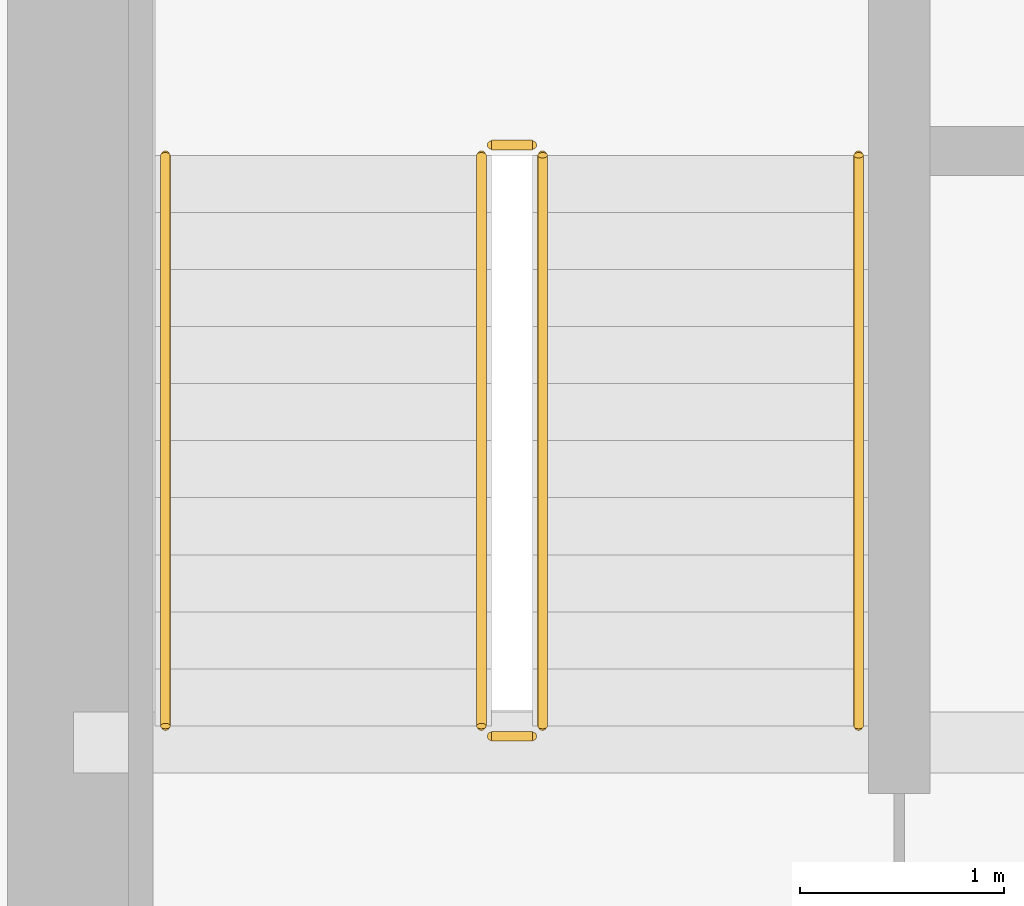
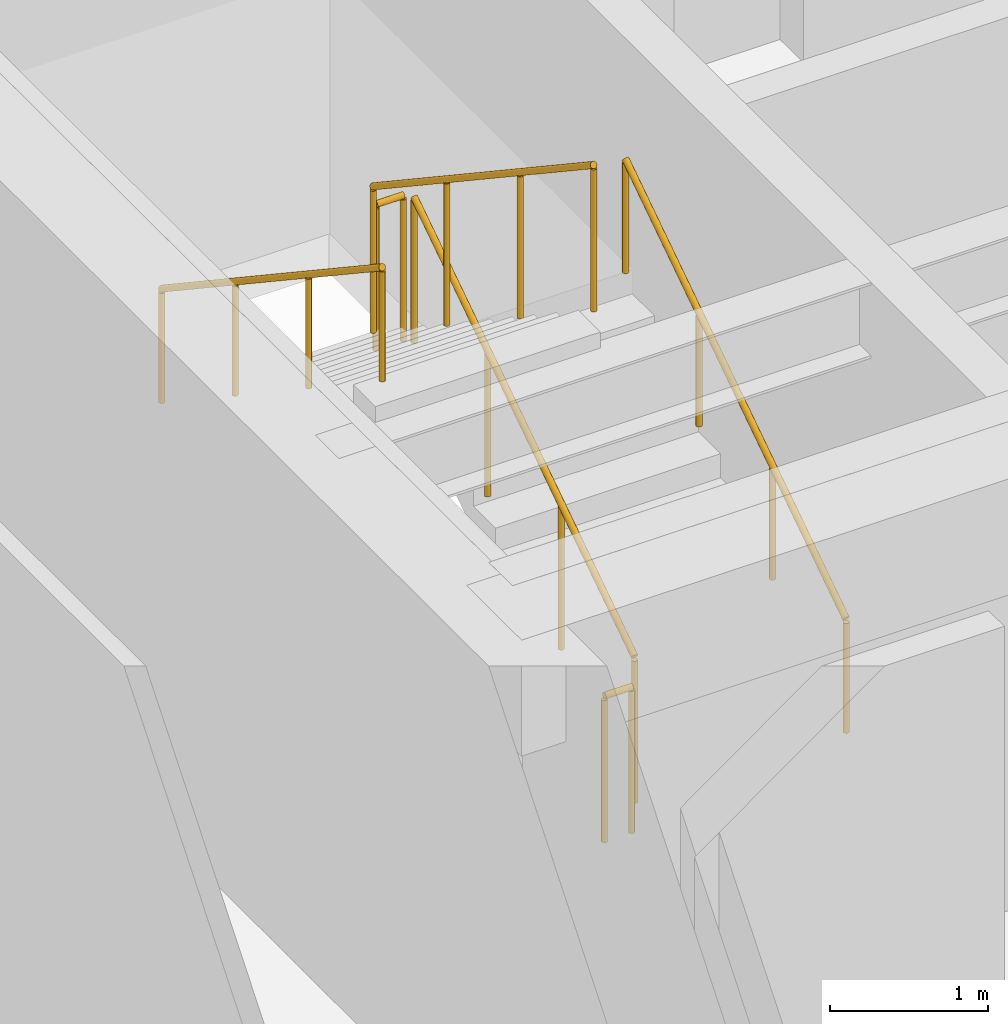
# One storey, part 29 of 30: 6 railings.
"""IFC4 building model written with IfcOpenShell, lengths in metres."""

from ifc_helpers import new_model, si_unit, direction, frame, origin, origin_2d, place, context, subcontext, project, spatial, circle, extrude, source, transform, mapped, material, type_object, type_shapes, element, save


model = new_model("IFC4")

# Units and contexts
model_context = context("Model", 3, precision=1e-05, world=origin(), true_north=direction((0.0, 1.0)))
body_context = subcontext(model_context, "Body", "Model", "MODEL_VIEW")
ifc_project = project(units=[si_unit("LENGTHUNIT", "METRE"), si_unit("AREAUNIT", "SQUARE_METRE"), si_unit("VOLUMEUNIT", "CUBIC_METRE"), si_unit("PLANEANGLEUNIT", "RADIAN"), si_unit("MASSUNIT", "GRAM", prefix="KILO")], contexts=[model_context])

# Site, building, storey
site_placement = place(None, origin())
site = spatial("IfcSite", under=ifc_project, at=site_placement, CompositionType="ELEMENT")
building_placement = place(site_placement, origin())
building = spatial("IfcBuilding", under=site, at=building_placement, Name="Haelvirn Gate Laboratories", CompositionType="ELEMENT")
storey_placement = place(building_placement, frame((0.0, 0.0, 129.699951171875)))
storey = spatial("IfcBuildingStorey", under=building, at=storey_placement, Name="L31", CompositionType="ELEMENT", Elevation=129.699951171875)

# Railings
ifc_material_1 = material(Name="Galvanised steel SM355 & stainless top rail", Category="steel")
railing_type_1 = type_object("IfcRailingType", Name="RL-GUARD-1150", PredefinedType="GUARDRAIL", material=ifc_material_1)
shared_shape_1 = source(origin(), body_context, "Body", "SweptSolid", [
    extrude(circle(Radius=0.02392578125, at=origin_2d()), frame((0.0, 0.0, 1.1259765625), z_axis=(-1.0, 0.0, 0.0), x_axis=(0.0, -1.0, 0.0)), (0.0, 0.0, 1.0), 0.199951171875),
    extrude(circle(Radius=0.02099609375, at=origin_2d()), origin(), (0.0, 0.0, 1.0), 1.101806640625),
    extrude(circle(Radius=0.02099609375, at=origin_2d()), frame((-0.199951171875, 0.0, 0.0)), (0.0, 0.0, 1.0), 1.101806640625),
])
for number, where, name in (
    (1, (9.64990234375, 29.550048828125, 2.050048828125), "L31 ST1 stair guard 2"),
    (2, (9.64990234375, 26.64990234375, 0.0), "L31 ST1 stair guard 4"),
):
    element("IfcRailing", number, at=place(storey_placement, frame(where)), inside=storey, type_object=railing_type_1, Name=name, PredefinedType="GUARDRAIL", context=body_context, shape_type="MappedRepresentation", body=[
        mapped(shared_shape_1, transform((0.0, 0.0, 0.0), scale=1.0)),
    ])
shared_shape_2 = source(origin(), body_context, "Body", "SweptSolid", [
    extrude(circle(Radius=0.02392578125, at=origin_2d()), frame((0.0, 0.0, 1.1259765625), z_axis=(0.0, 0.832485552168, 0.554046753832), x_axis=(-1.0, 0.0, 0.0)), (0.0, 0.0, 1.0), 3.363525390625),
    extrude(circle(Radius=0.02099609375, at=origin_2d()), origin(), (0.0, 0.0, 1.0), 1.101806640625),
    extrude(circle(Radius=0.02099609375, at=origin_2d()), frame((0.0, 0.933349609375, 0.62109375)), (0.0, 0.0, 1.0), 1.101806640625),
    extrude(circle(Radius=0.02099609375, at=origin_2d()), frame((0.0, 1.86669921875, 1.242431640625)), (0.0, 0.0, 1.0), 1.101806640625),
    extrude(circle(Radius=0.02099609375, at=origin_2d()), frame((0.0, 2.800048828125, 1.863525390625)), (0.0, 0.0, 1.0), 1.101806640625),
])
railing_1_placement = place(storey_placement, frame((9.699951171875, 26.699951171875, 0.1865234375)))
element("IfcRailing", 3, at=railing_1_placement, inside=storey, type_object=railing_type_1, Name="L31 ST1 stair guard 1", PredefinedType="GUARDRAIL", context=body_context, shape_type="MappedRepresentation", body=[
    mapped(shared_shape_2, transform((0.0, 0.0, 0.0), scale=1.0)),
])
shared_shape_3 = source(origin(), body_context, "Body", "SweptSolid", [
    extrude(circle(Radius=0.02392578125, at=origin_2d()), frame((0.0, 0.0, 1.1259765625), z_axis=(0.0, -0.832452072856, 0.554097055034), x_axis=(1.0, 0.0, 0.0)), (0.0, 0.0, 1.0), 3.363525390625),
    extrude(circle(Radius=0.02099609375, at=origin_2d()), origin(), (0.0, 0.0, 1.0), 1.101806640625),
    extrude(circle(Radius=0.02099609375, at=origin_2d()), frame((0.0, -0.933349609375, 0.621337890625)), (0.0, 0.0, 1.0), 1.101806640625),
    extrude(circle(Radius=0.02099609375, at=origin_2d()), frame((0.0, -1.86669921875, 1.242431640625)), (0.0, 0.0, 1.0), 1.101806640625),
    extrude(circle(Radius=0.02099609375, at=origin_2d()), frame((0.0, -2.800048828125, 1.86376953125)), (0.0, 0.0, 1.0), 1.101806640625),
])
type_shapes(railing_type_1, [shared_shape_1, shared_shape_2, shared_shape_3])
railing_2_placement = place(storey_placement, frame((9.39990234375, 29.5, 2.236328125)))
element("IfcRailing", 4, at=railing_2_placement, inside=storey, type_object=railing_type_1, Name="L31 ST1 stair guard 3", PredefinedType="GUARDRAIL", context=body_context, shape_type="MappedRepresentation", body=[
    mapped(shared_shape_3, transform((0.0, 0.0, 0.0), scale=1.0)),
])
ifc_material_2 = material(Name="Brushed stainless steel 316L", Category="steel")
railing_type_2 = type_object("IfcRailingType", Name="RL-HAND-920", PredefinedType="HANDRAIL", material=ifc_material_2)
shared_shape_4 = source(origin(), body_context, "Body", "SweptSolid", [
    extrude(circle(Radius=0.02392578125, at=origin_2d()), frame((0.0, 0.0, 0.8759765625), z_axis=(0.0, 0.832485552168, 0.554046753832), x_axis=(-1.0, 0.0, 0.0)), (0.0, 0.0, 1.0), 3.363525390625),
    extrude(circle(Radius=0.02099609375, at=origin_2d()), origin(), (0.0, 0.0, 1.0), 0.851806640625),
    extrude(circle(Radius=0.02099609375, at=origin_2d()), frame((0.0, 0.933349609375, 0.62109375)), (0.0, 0.0, 1.0), 0.851806640625),
    extrude(circle(Radius=0.02099609375, at=origin_2d()), frame((0.0, 1.86669921875, 1.242431640625)), (0.0, 0.0, 1.0), 0.851806640625),
    extrude(circle(Radius=0.02099609375, at=origin_2d()), frame((0.0, 2.800048828125, 1.863525390625)), (0.0, 0.0, 1.0), 0.851806640625),
])
railing_3_placement = place(storey_placement, frame((11.25, 26.699951171875, 0.1865234375)))
element("IfcRailing", 5, at=railing_3_placement, inside=storey, type_object=railing_type_2, Name="L31 ST1 stair handrail 1", PredefinedType="HANDRAIL", context=body_context, shape_type="MappedRepresentation", body=[
    mapped(shared_shape_4, transform((0.0, 0.0, 0.0), scale=1.0)),
])
shared_shape_5 = source(origin(), body_context, "Body", "SweptSolid", [
    extrude(circle(Radius=0.02392578125, at=origin_2d()), frame((0.0, 0.0, 0.8759765625), z_axis=(0.0, -0.832452072856, 0.554097055034), x_axis=(1.0, 0.0, 0.0)), (0.0, 0.0, 1.0), 3.363525390625),
    extrude(circle(Radius=0.02099609375, at=origin_2d()), origin(), (0.0, 0.0, 1.0), 0.851806640625),
    extrude(circle(Radius=0.02099609375, at=origin_2d()), frame((0.0, -0.933349609375, 0.621337890625)), (0.0, 0.0, 1.0), 0.851806640625),
    extrude(circle(Radius=0.02099609375, at=origin_2d()), frame((0.0, -1.86669921875, 1.242431640625)), (0.0, 0.0, 1.0), 0.851806640625),
    extrude(circle(Radius=0.02099609375, at=origin_2d()), frame((0.0, -2.800048828125, 1.86376953125)), (0.0, 0.0, 1.0), 0.851806640625),
])
type_shapes(railing_type_2, [shared_shape_4, shared_shape_5])
railing_4_placement = place(storey_placement, frame((7.85009765625, 29.5, 2.236328125)))
element("IfcRailing", 6, at=railing_4_placement, inside=storey, type_object=railing_type_2, Name="L31 ST1 stair handrail 2", PredefinedType="HANDRAIL", context=body_context, shape_type="MappedRepresentation", body=[
    mapped(shared_shape_5, transform((0.0, 0.0, 0.0), scale=1.0)),
])

save(model, "model.ifc")
